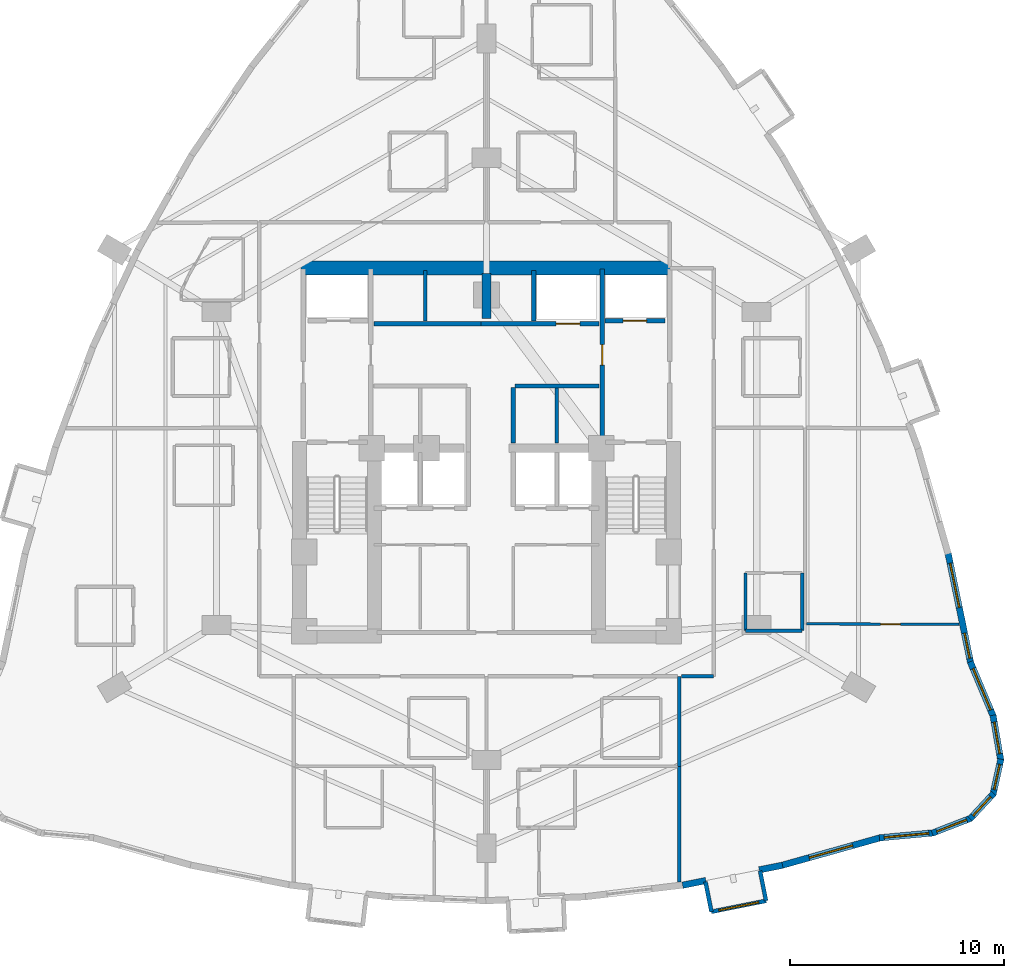
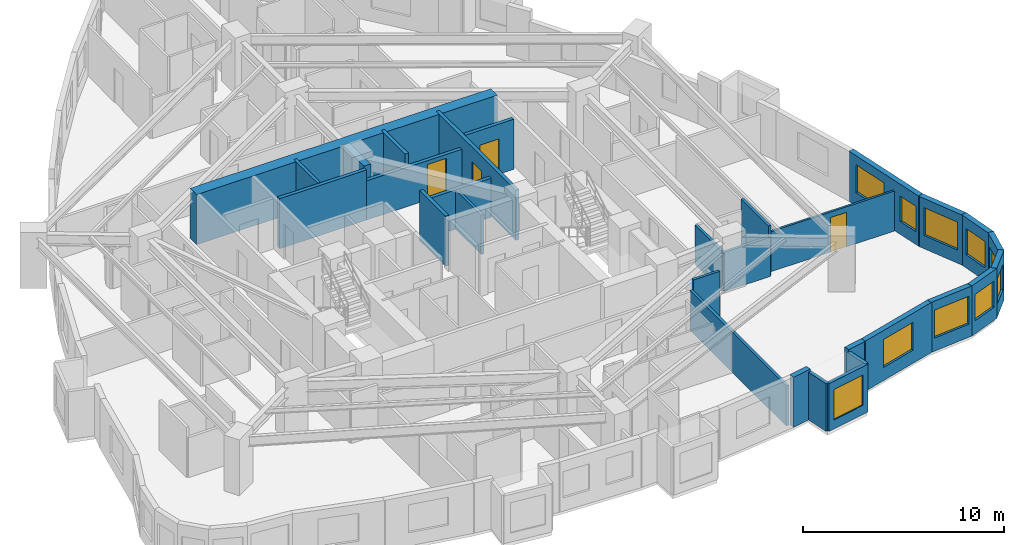
# One storey, part 9 of 13: 31 walls, 10 windows, 4 doors, 14 openings.
"""IFC4 building model written with IfcOpenShell, lengths in metres."""

from ifc_helpers import new_model, si_unit, direction, frame, frame_2d, origin, place, context, subcontext, project, spatial, rectangle, extrude, material, layer, layer_set, type_object, element, fill, save


model = new_model("IFC4")

# Units and contexts
model_context = context("Model", 3, precision=1e-05, world=origin(), true_north=direction((0.0, 1.0)))
body_context = subcontext(model_context, "Body", "Model", "MODEL_VIEW")
ifc_project = project(units=[si_unit("LENGTHUNIT", "METRE"), si_unit("AREAUNIT", "SQUARE_METRE"), si_unit("VOLUMEUNIT", "CUBIC_METRE"), si_unit("PLANEANGLEUNIT", "RADIAN"), si_unit("MASSUNIT", "GRAM", prefix="KILO")], contexts=[model_context])

# Site, building, storey
site_placement = place(None, origin())
site = spatial("IfcSite", under=ifc_project, at=site_placement, CompositionType="ELEMENT")
building_placement = place(site_placement, origin())
building = spatial("IfcBuilding", under=site, at=building_placement, Name="Miruveldt Soraemaru", CompositionType="ELEMENT")
storey_placement = place(building_placement, frame((0.0, 0.0, 87.0)))
storey = spatial("IfcBuildingStorey", under=building, at=storey_placement, Name="L24", CompositionType="ELEMENT", Elevation=87.0)

# Walls
ifc_material_1 = material(Name="White powder-coated aluminium EN AW-6060 T6", Category="aluminium")
ifc_layer_1 = layer(ifc_material_1, 0.18994140625, Name="White powder-coated aluminium EN AW-6060 T6", Category="aluminium")
ifc_layer_set_1 = layer_set([ifc_layer_1], Name="White powder-coated aluminium EN AW-6060 T6")
wall_type_1 = type_object("IfcWallType", Name="WALL-BAY-ALU190", PredefinedType="SOLIDWALL", material=ifc_layer_set_1)
for number, where, z_axis, x_axis, name in (
    (1, (54.21484375, 23.81396484375, 0.0), (0.0, 0.0, 1.0), (0.196149079112, -0.980574086321, 0.0), "L24 Bay Window Side Cheek 4L"),
    (2, (57.0439453125, 22.926513671875, 0.0), (0.0, 0.0, 1.0), (-0.196149079112, 0.980574086321, 0.0), "L24 Bay Window Side Cheek 4R"),
):
    element("IfcWall", number, at=place(storey_placement, frame(where, z_axis=z_axis, x_axis=x_axis)), inside=storey, type_object=wall_type_1, Name=name, PredefinedType="SOLIDWALL", context=body_context, shape_type="SweptSolid", body=[
        extrude(rectangle(XDim=1.425048828125, YDim=0.18994140625, at=frame_2d((0.71240234375, 0.0))), origin(), (0.0, 0.0, 1.0), 2.89990234375),
    ])

# Wall, opening, window
wall_1_placement = place(storey_placement, frame((54.494384765625, 22.41650390625, 0.0), z_axis=(0.0, 0.0, 1.0), x_axis=(0.980573452128, 0.196152249497, 0.0)))
wall_1 = element("IfcWall", 3, at=wall_1_placement, inside=storey, type_object=wall_type_1, Name="L24 Bay Window Front Frame 4", PredefinedType="SOLIDWALL", context=body_context, shape_type="SweptSolid", body=[
    extrude(rectangle(XDim=2.60009765625, YDim=0.18994140625, at=frame_2d((1.300048828125, 0.0))), origin(), (0.0, 0.0, 1.0), 2.89990234375),
])
opening_1_placement = place(wall_1_placement, frame((0.35009765625, 0.0, 0.550048828125)))
opening_1 = element("IfcOpeningElement", 4, at=opening_1_placement, cuts=wall_1, Name="Opening WN-6", PredefinedType="OPENING", context=body_context, shape_type="SweptSolid", body=[
    extrude(rectangle(XDim=1.89990234375, YDim=1.85009765625, at=frame_2d((0.949951171875, 0.925048828125))), frame((0.0, 0.10498046875, 0.0), z_axis=(0.0, -1.0, 0.0), x_axis=(1.0, 0.0, 0.0)), (0.0, 0.0, 1.0), 0.2099609375),
])
ifc_material_2 = material(Name="Triple low-e insulated glazing", Category="glass")
window_type_1 = type_object("IfcWindowType", Name="WIN-BAYW-1900x1850", PartitioningType="SINGLE_PANEL", PredefinedType="WINDOW", material=ifc_material_2)
window_1_placement = place(opening_1_placement, origin())
window_1 = element("IfcWindow", 5, at=window_1_placement, inside=storey, type_object=window_type_1, Name="L24 Projecting Bay Window 4", OverallHeight=1.85009765625, OverallWidth=1.89990234375, PartitioningType="SINGLE_PANEL", PredefinedType="WINDOW", context=body_context, shape_type="SweptSolid", body=[
    extrude(rectangle(XDim=1.89990234375, YDim=1.85009765625, at=frame_2d((0.949951171875, 0.925048828125))), frame((0.0, 0.030029296875, 0.0), z_axis=(0.0, -1.0, 0.0), x_axis=(1.0, 0.0, 0.0)), (0.0, 0.0, 1.0), 0.06005859375),
])
fill(opening_1, window_1)

# Walls
ifc_material_3 = material(Name="Concrete C70/85 (70 MPa)", Category="concrete")
ifc_layer_2 = layer(ifc_material_3, 0.5, Name="Concrete C70/85 (70 MPa)", Category="concrete")
ifc_layer_set_2 = layer_set([ifc_layer_2], Name="Concrete C70/85 (70 MPa)")
wall_type_2 = type_object("IfcWallType", Name="WALL-BW-500", PredefinedType="SHEAR", material=ifc_layer_set_2)
wall_2_placement = place(storey_placement, frame((44.0, 50.10009765625, 0.0), z_axis=(0.0, 0.0, 1.0), x_axis=(0.0, 1.0, 0.0)))
element("IfcWall", 6, at=wall_2_placement, inside=storey, type_object=wall_type_2, Name="L24 Core Buttress Shear Wall BN", PredefinedType="SHEAR", context=body_context, shape_type="SweptSolid", body=[
    extrude(rectangle(XDim=2.099853515625, YDim=0.39990234375, at=frame_2d((1.0498046875, 0.0))), origin(), (0.0, 0.0, 1.0), 3.050048828125),
])
ifc_material_4 = material(Name="Concrete C80/95 (80 MPa)", Category="concrete")
ifc_layer_3 = layer(ifc_material_4, 0.64990234375, Name="Concrete C80/95 (80 MPa)", Category="concrete")
ifc_layer_set_3 = layer_set([ifc_layer_3], Name="Concrete C80/95 (80 MPa)")
wall_type_3 = type_object("IfcWallType", Name="WALL-CW-650", PredefinedType="SHEAR", material=ifc_layer_set_3)
wall_3_placement = place(storey_placement, frame((35.35009765625, 52.449951171875, 0.0), z_axis=(0.0, 0.0, 1.0), x_axis=(1.0, 0.0, 0.0)))
element("IfcWall", 7, at=wall_3_placement, inside=storey, type_object=wall_type_3, Name="L24 Central Core Shear Wall N", PredefinedType="SHEAR", context=body_context, shape_type="SweptSolid", body=[
    extrude(rectangle(XDim=17.2998046875, YDim=0.64990234375, at=frame_2d((8.64990234375, 0.0))), origin(), (0.0, 0.0, 1.0), 3.050048828125),
])
ifc_material_5 = material(Name="Precast concrete C45/55 (45 MPa)", Category="concrete")
ifc_layer_4 = layer(ifc_material_5, 0.300048828125, Name="Precast concrete C45/55 (45 MPa)", Category="concrete")
ifc_layer_set_4 = layer_set([ifc_layer_4], Name="Precast concrete C45/55 (45 MPa)")
wall_type_4 = type_object("IfcWallType", Name="WALL-EXT-PC300", PredefinedType="SOLIDWALL", material=ifc_layer_set_4)
for number, where, z_axis, x_axis, name in (
    (8, (53.148681640625, 23.65673828125, 0.0), (0.0, 0.0, 1.0), (0.980563695205, 0.196201018464, 0.0), "L24 Precast Pier Wall 27A"),
    (9, (56.72412109375, 24.371826171875, 0.0), (0.0, 0.0, 1.0), (0.980563695205, 0.196201018464, 0.0), "L24 Precast Pier Wall 27B"),
):
    element("IfcWall", number, at=place(storey_placement, frame(where, z_axis=z_axis, x_axis=x_axis)), inside=storey, type_object=wall_type_4, Name=name, PredefinedType="SOLIDWALL", context=body_context, shape_type="SweptSolid", body=[
        extrude(rectangle(XDim=1.106201171875, YDim=0.300048828125, at=frame_2d((0.55322265625, 0.0))), origin(), (0.0, 0.0, 1.0), 3.050048828125),
    ])

# Wall, opening, window
wall_4_placement = place(storey_placement, frame((57.740966796875, 24.572509765625, 0.0), z_axis=(0.0, 0.0, 1.0), x_axis=(0.962967164168, 0.269618695077, 0.0)))
wall_4 = element("IfcWall", 10, at=wall_4_placement, inside=storey, type_object=wall_type_4, Name="L24 Precast Concrete Facade Wall 28", PredefinedType="SOLIDWALL", context=body_context, shape_type="SweptSolid", body=[
    extrude(rectangle(XDim=4.838134765625, YDim=0.300048828125, at=frame_2d((2.4189453125, 0.0))), origin(), (0.0, 0.0, 1.0), 3.050048828125),
])
opening_2_placement = place(wall_4_placement, frame((1.368896484375, 0.0, 0.800048828125)))
opening_2 = element("IfcOpeningElement", 11, at=opening_2_placement, cuts=wall_4, Name="Opening WN-1", PredefinedType="OPENING", context=body_context, shape_type="SweptSolid", body=[
    extrude(rectangle(XDim=2.10009765625, YDim=1.699951171875, at=frame_2d((1.050048828125, 0.85009765625))), frame((0.0, 0.16015625, 0.0), z_axis=(0.0, -1.0, 0.0), x_axis=(1.0, 0.0, 0.0)), (0.0, 0.0, 1.0), 0.320068359375),
])
window_type_2 = type_object("IfcWindowType", Name="WIN-PUNCH-2100x1700", PartitioningType="SINGLE_PANEL", PredefinedType="WINDOW", material=ifc_material_2)
window_2_placement = place(opening_2_placement, origin())
window_2 = element("IfcWindow", 12, at=window_2_placement, inside=storey, type_object=window_type_2, Name="L24 Punched Triple-Glazed Window 28.1", OverallHeight=1.699951171875, OverallWidth=2.10009765625, PartitioningType="SINGLE_PANEL", PredefinedType="WINDOW", context=body_context, shape_type="SweptSolid", body=[
    extrude(rectangle(XDim=2.10009765625, YDim=1.699951171875, at=frame_2d((1.050048828125, 0.85009765625))), frame((0.0, 0.030029296875, 0.0), z_axis=(0.0, -1.0, 0.0), x_axis=(1.0, 0.0, 0.0)), (0.0, 0.0, 1.0), 0.06005859375),
])
fill(opening_2, window_2)

wall_5_placement = place(storey_placement, frame((62.331298828125, 25.864501953125, 0.0), z_axis=(0.0, 0.0, 1.0), x_axis=(0.995765461545, 0.091930112551, 0.0)))
wall_5 = element("IfcWall", 13, at=wall_5_placement, inside=storey, type_object=wall_type_4, Name="L24 Precast Concrete Facade Wall 29", PredefinedType="SOLIDWALL", context=body_context, shape_type="SweptSolid", body=[
    extrude(rectangle(XDim=2.54150390625, YDim=0.300048828125, at=frame_2d((1.270751953125, 0.0))), origin(), (0.0, 0.0, 1.0), 3.050048828125),
])
opening_3_placement = place(wall_5_placement, frame((0.220947265625, 0.0, 0.800048828125)))
opening_3 = element("IfcOpeningElement", 14, at=opening_3_placement, cuts=wall_5, Name="Opening WN-1", PredefinedType="OPENING", context=body_context, shape_type="SweptSolid", body=[
    extrude(rectangle(XDim=2.10009765625, YDim=1.699951171875, at=frame_2d((1.050048828125, 0.85009765625))), frame((0.0, 0.16015625, 0.0), z_axis=(0.0, -1.0, 0.0), x_axis=(1.0, 0.0, 0.0)), (0.0, 0.0, 1.0), 0.320068359375),
])
window_3_placement = place(opening_3_placement, origin())
window_3 = element("IfcWindow", 15, at=window_3_placement, inside=storey, type_object=window_type_2, Name="L24 Punched Triple-Glazed Window 29.1", OverallHeight=1.699951171875, OverallWidth=2.10009765625, PartitioningType="SINGLE_PANEL", PredefinedType="WINDOW", context=body_context, shape_type="SweptSolid", body=[
    extrude(rectangle(XDim=2.10009765625, YDim=1.699951171875, at=frame_2d((1.050048828125, 0.85009765625))), frame((0.0, 0.030029296875, 0.0), z_axis=(0.0, -1.0, 0.0), x_axis=(1.0, 0.0, 0.0)), (0.0, 0.0, 1.0), 0.06005859375),
])
fill(opening_3, window_3)

wall_6_placement = place(storey_placement, frame((64.794677734375, 26.082275390625, 0.0), z_axis=(0.0, 0.0, 1.0), x_axis=(0.932250473757, 0.361813562736, 0.0)))
wall_6 = element("IfcWall", 16, at=wall_6_placement, inside=storey, type_object=wall_type_4, Name="L24 Precast Concrete Facade Wall 30", PredefinedType="SOLIDWALL", context=body_context, shape_type="SweptSolid", body=[
    extrude(rectangle(XDim=1.95556640625, YDim=0.300048828125, at=frame_2d((0.977783203125, 0.0))), origin(), (0.0, 0.0, 1.0), 3.050048828125),
])
opening_4_placement = place(wall_6_placement, frame((0.22802734375, 0.0, 0.800048828125)))
opening_4 = element("IfcOpeningElement", 17, at=opening_4_placement, cuts=wall_6, Name="Opening WN-3", PredefinedType="OPENING", context=body_context, shape_type="SweptSolid", body=[
    extrude(rectangle(XDim=1.5, YDim=1.60009765625, at=frame_2d((0.75, 0.800048828125))), frame((0.0, 0.16015625, 0.0), z_axis=(0.0, -1.0, 0.0), x_axis=(1.0, 0.0, 0.0)), (0.0, 0.0, 1.0), 0.320068359375),
])
window_type_3 = type_object("IfcWindowType", Name="WIN-PUNCH-1500x1600", PartitioningType="SINGLE_PANEL", PredefinedType="WINDOW", material=ifc_material_2)
window_4_placement = place(opening_4_placement, origin())
window_4 = element("IfcWindow", 18, at=window_4_placement, inside=storey, type_object=window_type_3, Name="L24 Punched Triple-Glazed Window 30.1", OverallHeight=1.60009765625, OverallWidth=1.5, PartitioningType="SINGLE_PANEL", PredefinedType="WINDOW", context=body_context, shape_type="SweptSolid", body=[
    extrude(rectangle(XDim=1.5, YDim=1.60009765625, at=frame_2d((0.75, 0.800048828125))), frame((0.0, 0.030029296875, 0.0), z_axis=(0.0, -1.0, 0.0), x_axis=(1.0, 0.0, 0.0)), (0.0, 0.0, 1.0), 0.06005859375),
])
fill(opening_4, window_4)

wall_7_placement = place(storey_placement, frame((66.561279296875, 26.751220703125, 0.0), z_axis=(0.0, 0.0, 1.0), x_axis=(0.680179532138, 0.733045567519, 0.0)))
wall_7 = element("IfcWall", 19, at=wall_7_placement, inside=storey, type_object=wall_type_4, Name="L24 Precast Concrete Facade Wall 31", PredefinedType="SOLIDWALL", context=body_context, shape_type="SweptSolid", body=[
    extrude(rectangle(XDim=1.620849609375, YDim=0.300048828125, at=frame_2d((0.810546875, 0.0))), origin(), (0.0, 0.0, 1.0), 3.050048828125),
])
opening_5_placement = place(wall_7_placement, frame((0.2109375, 0.0, 0.780029296875)))
opening_5 = element("IfcOpeningElement", 20, at=opening_5_placement, cuts=wall_7, Name="Opening WN-4", PredefinedType="OPENING", context=body_context, shape_type="SweptSolid", body=[
    extrude(rectangle(XDim=1.199951171875, YDim=1.550048828125, at=frame_2d((0.60009765625, 0.77490234375))), frame((0.0, 0.16015625, 0.0), z_axis=(0.0, -1.0, 0.0), x_axis=(1.0, 0.0, 0.0)), (0.0, 0.0, 1.0), 0.320068359375),
])
window_type_4 = type_object("IfcWindowType", Name="WIN-PUNCH-1200x1550", PartitioningType="SINGLE_PANEL", PredefinedType="WINDOW", material=ifc_material_2)
window_5_placement = place(opening_5_placement, origin())
window_5 = element("IfcWindow", 21, at=window_5_placement, inside=storey, type_object=window_type_4, Name="L24 Punched Triple-Glazed Window 31.1", OverallHeight=1.550048828125, OverallWidth=1.199951171875, PartitioningType="SINGLE_PANEL", PredefinedType="WINDOW", context=body_context, shape_type="SweptSolid", body=[
    extrude(rectangle(XDim=1.199951171875, YDim=1.550048828125, at=frame_2d((0.60009765625, 0.77490234375))), frame((0.0, 0.030029296875, 0.0), z_axis=(0.0, -1.0, 0.0), x_axis=(1.0, 0.0, 0.0)), (0.0, 0.0, 1.0), 0.06005859375),
])
fill(opening_5, window_5)

wall_8_placement = place(storey_placement, frame((67.63232421875, 27.87939453125, 0.0), z_axis=(0.0, 0.0, 1.0), x_axis=(0.215576821928, 0.976486883602, 0.0)))
wall_8 = element("IfcWall", 22, at=wall_8_placement, inside=storey, type_object=wall_type_4, Name="L24 Precast Concrete Facade Wall 32", PredefinedType="SOLIDWALL", context=body_context, shape_type="SweptSolid", body=[
    extrude(rectangle(XDim=1.699951171875, YDim=0.300048828125, at=frame_2d((0.85009765625, 0.0))), origin(), (0.0, 0.0, 1.0), 3.050048828125),
])
opening_6_placement = place(wall_8_placement, frame((0.25, 0.0, 0.780029296875)))
opening_6 = element("IfcOpeningElement", 23, at=opening_6_placement, cuts=wall_8, Name="Opening WN-4", PredefinedType="OPENING", context=body_context, shape_type="SweptSolid", body=[
    extrude(rectangle(XDim=1.199951171875, YDim=1.550048828125, at=frame_2d((0.60009765625, 0.77490234375))), frame((0.0, 0.16015625, 0.0), z_axis=(0.0, -1.0, 0.0), x_axis=(1.0, 0.0, 0.0)), (0.0, 0.0, 1.0), 0.320068359375),
])
window_6_placement = place(opening_6_placement, origin())
window_6 = element("IfcWindow", 24, at=window_6_placement, inside=storey, type_object=window_type_4, Name="L24 Punched Triple-Glazed Window 32.1", OverallHeight=1.550048828125, OverallWidth=1.199951171875, PartitioningType="SINGLE_PANEL", PredefinedType="WINDOW", context=body_context, shape_type="SweptSolid", body=[
    extrude(rectangle(XDim=1.199951171875, YDim=1.550048828125, at=frame_2d((0.60009765625, 0.77490234375))), frame((0.0, 0.030029296875, 0.0), z_axis=(0.0, -1.0, 0.0), x_axis=(1.0, 0.0, 0.0)), (0.0, 0.0, 1.0), 0.06005859375),
])
fill(opening_6, window_6)

wall_9_placement = place(storey_placement, frame((67.997314453125, 29.470703125, 0.0), z_axis=(0.0, 0.0, 1.0), x_axis=(-0.169285891433, 0.985566987557, 0.0)))
wall_9 = element("IfcWall", 25, at=wall_9_placement, inside=storey, type_object=wall_type_4, Name="L24 Precast Concrete Facade Wall 33", PredefinedType="SOLIDWALL", context=body_context, shape_type="SweptSolid", body=[
    extrude(rectangle(XDim=2.14599609375, YDim=0.300048828125, at=frame_2d((1.072998046875, 0.0))), origin(), (0.0, 0.0, 1.0), 3.050048828125),
])
opening_7_placement = place(wall_9_placement, frame((0.322998046875, 0.0, 0.800048828125)))
opening_7 = element("IfcOpeningElement", 26, at=opening_7_placement, cuts=wall_9, Name="Opening WN-3", PredefinedType="OPENING", context=body_context, shape_type="SweptSolid", body=[
    extrude(rectangle(XDim=1.5, YDim=1.60009765625, at=frame_2d((0.75, 0.800048828125))), frame((0.0, 0.16015625, 0.0), z_axis=(0.0, -1.0, 0.0), x_axis=(1.0, 0.0, 0.0)), (0.0, 0.0, 1.0), 0.320068359375),
])
window_7_placement = place(opening_7_placement, origin())
window_7 = element("IfcWindow", 27, at=window_7_placement, inside=storey, type_object=window_type_3, Name="L24 Punched Triple-Glazed Window 33.1", OverallHeight=1.60009765625, OverallWidth=1.5, PartitioningType="SINGLE_PANEL", PredefinedType="WINDOW", context=body_context, shape_type="SweptSolid", body=[
    extrude(rectangle(XDim=1.5, YDim=1.60009765625, at=frame_2d((0.75, 0.800048828125))), frame((0.0, 0.030029296875, 0.0), z_axis=(0.0, -1.0, 0.0), x_axis=(1.0, 0.0, 0.0)), (0.0, 0.0, 1.0), 0.06005859375),
])
fill(opening_7, window_7)

wall_10_placement = place(storey_placement, frame((67.653564453125, 31.51904296875, 0.0), z_axis=(0.0, 0.0, 1.0), x_axis=(-0.388652814746, 0.921384279001, 0.0)))
wall_10 = element("IfcWall", 28, at=wall_10_placement, inside=storey, type_object=wall_type_4, Name="L24 Precast Concrete Facade Wall 34", PredefinedType="SOLIDWALL", context=body_context, shape_type="SweptSolid", body=[
    extrude(rectangle(XDim=2.783935546875, YDim=0.300048828125, at=frame_2d((1.39208984375, 0.0))), origin(), (0.0, 0.0, 1.0), 3.050048828125),
])
opening_8_placement = place(wall_10_placement, frame((0.342041015625, 0.0, 0.800048828125)))
opening_8 = element("IfcOpeningElement", 29, at=opening_8_placement, cuts=wall_10, Name="Opening WN-1", PredefinedType="OPENING", context=body_context, shape_type="SweptSolid", body=[
    extrude(rectangle(XDim=2.10009765625, YDim=1.699951171875, at=frame_2d((1.050048828125, 0.85009765625))), frame((0.0, 0.16015625, 0.0), z_axis=(0.0, -1.0, 0.0), x_axis=(1.0, 0.0, 0.0)), (0.0, 0.0, 1.0), 0.320068359375),
])
window_8_placement = place(opening_8_placement, origin())
window_8 = element("IfcWindow", 30, at=window_8_placement, inside=storey, type_object=window_type_2, Name="L24 Punched Triple-Glazed Window 34.1", OverallHeight=1.699951171875, OverallWidth=2.10009765625, PartitioningType="SINGLE_PANEL", PredefinedType="WINDOW", context=body_context, shape_type="SweptSolid", body=[
    extrude(rectangle(XDim=2.10009765625, YDim=1.699951171875, at=frame_2d((1.050048828125, 0.85009765625))), frame((0.0, 0.030029296875, 0.0), z_axis=(0.0, -1.0, 0.0), x_axis=(1.0, 0.0, 0.0)), (0.0, 0.0, 1.0), 0.06005859375),
])
fill(opening_8, window_8)

# Wall, openings, windows
wall_11_placement = place(storey_placement, frame((66.59228515625, 34.017578125, 0.0), z_axis=(0.0, 0.0, 1.0), x_axis=(-0.201579766052, 0.979472101654, 0.0)))
wall_11 = element("IfcWall", 31, at=wall_11_placement, inside=storey, type_object=wall_type_4, Name="L24 Precast Concrete Facade Wall 35", PredefinedType="SOLIDWALL", context=body_context, shape_type="SweptSolid", body=[
    extrude(rectangle(XDim=5.273193359375, YDim=0.300048828125, at=frame_2d((2.63671875, 0.0))), origin(), (0.0, 0.0, 1.0), 3.050048828125),
])
opening_9_placement = place(wall_11_placement, frame((0.22412109375, 0.0, 0.780029296875)))
opening_9 = element("IfcOpeningElement", 32, at=opening_9_placement, cuts=wall_11, Name="Opening WN-4", PredefinedType="OPENING", context=body_context, shape_type="SweptSolid", body=[
    extrude(rectangle(XDim=1.199951171875, YDim=1.550048828125, at=frame_2d((0.60009765625, 0.77490234375))), frame((0.0, 0.16015625, 0.0), z_axis=(0.0, -1.0, 0.0), x_axis=(1.0, 0.0, 0.0)), (0.0, 0.0, 1.0), 0.320068359375),
])
opening_10_placement = place(wall_11_placement, frame((2.64990234375, 0.0, 0.800048828125)))
opening_10 = element("IfcOpeningElement", 33, at=opening_10_placement, cuts=wall_11, Name="Opening WN-1", PredefinedType="OPENING", context=body_context, shape_type="SweptSolid", body=[
    extrude(rectangle(XDim=2.10009765625, YDim=1.699951171875, at=frame_2d((1.050048828125, 0.85009765625))), frame((0.0, 0.16015625, 0.0), z_axis=(0.0, -1.0, 0.0), x_axis=(1.0, 0.0, 0.0)), (0.0, 0.0, 1.0), 0.320068359375),
])
window_9_placement = place(opening_9_placement, origin())
window_9 = element("IfcWindow", 34, at=window_9_placement, inside=storey, type_object=window_type_4, Name="L24 Punched Triple-Glazed Window 35.1", OverallHeight=1.550048828125, OverallWidth=1.199951171875, PartitioningType="SINGLE_PANEL", PredefinedType="WINDOW", context=body_context, shape_type="SweptSolid", body=[
    extrude(rectangle(XDim=1.199951171875, YDim=1.550048828125, at=frame_2d((0.60009765625, 0.77490234375))), frame((0.0, 0.030029296875, 0.0), z_axis=(0.0, -1.0, 0.0), x_axis=(1.0, 0.0, 0.0)), (0.0, 0.0, 1.0), 0.06005859375),
])
fill(opening_9, window_9)
window_10_placement = place(opening_10_placement, origin())
window_10 = element("IfcWindow", 35, at=window_10_placement, inside=storey, type_object=window_type_2, Name="L24 Punched Triple-Glazed Window 35.2", OverallHeight=1.699951171875, OverallWidth=2.10009765625, PartitioningType="SINGLE_PANEL", PredefinedType="WINDOW", context=body_context, shape_type="SweptSolid", body=[
    extrude(rectangle(XDim=2.10009765625, YDim=1.699951171875, at=frame_2d((1.050048828125, 0.85009765625))), frame((0.0, 0.030029296875, 0.0), z_axis=(0.0, -1.0, 0.0), x_axis=(1.0, 0.0, 0.0)), (0.0, 0.0, 1.0), 0.06005859375),
])
fill(opening_10, window_10)

# Wall, opening, door
ifc_material_6 = material(Name="Gypsum plasterboard lining", Category="gypsum")
ifc_layer_5 = layer(ifc_material_6, 0.1201171875, Name="Gypsum plasterboard lining", Category="gypsum")
ifc_layer_set_5 = layer_set([ifc_layer_5], Name="Gypsum plasterboard lining")
wall_type_5 = type_object("IfcWallType", Name="WALL-INT-P120", PredefinedType="PARTITIONING", material=ifc_layer_set_5)
wall_12_placement = place(storey_placement, frame((66.050048828125, 35.8330078125, 0.0), z_axis=(0.0, 0.0, 1.0), x_axis=(-0.999997126781, 0.002397171291, 0.0)))
wall_12 = element("IfcWall", 36, at=wall_12_placement, inside=storey, type_object=wall_type_5, Name="L24 Partition Wall 70", PredefinedType="PARTITIONING", context=body_context, shape_type="SweptSolid", body=[
    extrude(rectangle(XDim=7.129150390625, YDim=0.1201171875, at=frame_2d((3.564453125, 0.0))), origin(), (0.0, 0.0, 1.0), 2.43798828125),
])
opening_11_placement = place(wall_12_placement, frame((2.7451171875, 0.0, 0.0)))
opening_11 = element("IfcOpeningElement", 37, at=opening_11_placement, cuts=wall_12, Name="Opening D3A", PredefinedType="OPENING", context=body_context, shape_type="SweptSolid", body=[
    extrude(rectangle(XDim=0.919921875, YDim=2.10009765625, at=frame_2d((0.4599609375, 1.050048828125))), frame((0.0, 0.070068359375, 0.0), z_axis=(0.0, -1.0, 0.0), x_axis=(1.0, 0.0, 0.0)), (0.0, 0.0, 1.0), 0.14013671875),
])
ifc_material_7 = material(Name="Anodised aluminium EN AW-6063 T6", Category="aluminium")
door_type_1 = type_object("IfcDoorType", Name="DOOR-INT-920", OperationType="NOTDEFINED", PredefinedType="DOOR", material=ifc_material_7)
door_1_placement = place(opening_11_placement, origin())
door_1 = element("IfcDoor", 38, at=door_1_placement, inside=storey, type_object=door_type_1, Name="L24 Unit 2408 BD1 Door", OperationType="SINGLE_SWING_RIGHT", OverallHeight=2.10009765625, OverallWidth=0.919921875, PredefinedType="DOOR", context=body_context, shape_type="SweptSolid", body=[
    extrude(rectangle(XDim=0.919921875, YDim=2.10009765625, at=frame_2d((0.4599609375, 1.050048828125))), frame((0.0, 0.02490234375, 0.0), z_axis=(0.0, -1.0, 0.0), x_axis=(1.0, 0.0, 0.0)), (0.0, 0.0, 1.0), 0.050048828125),
])
fill(opening_11, door_1)

# Walls
ifc_layer_6 = layer(ifc_material_6, 0.14990234375, Name="Gypsum plasterboard lining", Category="gypsum")
ifc_layer_set_6 = layer_set([ifc_layer_6], Name="Gypsum plasterboard lining")
wall_type_6 = type_object("IfcWallType", Name="WALL-INT-PLUMB", PredefinedType="PLUMBINGWALL", material=ifc_layer_set_6)
wall_13_placement = place(storey_placement, frame((58.72998046875, 35.530029296875, 0.0), z_axis=(0.0, 0.0, 1.0), x_axis=(0.0, 1.0, 0.0)))
element("IfcWall", 39, at=wall_13_placement, inside=storey, type_object=wall_type_6, Name="L24 Partition Wall 66", PredefinedType="PLUMBINGWALL", context=body_context, shape_type="SweptSolid", body=[
    extrude(rectangle(XDim=2.699951171875, YDim=0.14990234375, at=frame_2d((1.35009765625, 0.0))), origin(), (0.0, 0.0, 1.0), 3.050048828125),
])
wall_14_placement = place(storey_placement, frame((56.080078125, 38.22998046875, 0.0), z_axis=(0.0, 0.0, 1.0), x_axis=(0.0, -1.0, 0.0)))
element("IfcWall", 40, at=wall_14_placement, inside=storey, type_object=wall_type_6, Name="L24 Partition Wall 68", PredefinedType="PLUMBINGWALL", context=body_context, shape_type="SweptSolid", body=[
    extrude(rectangle(XDim=2.699951171875, YDim=0.14990234375, at=frame_2d((1.35009765625, 0.0))), origin(), (0.0, 0.0, 1.0), 2.387939453125),
])
wall_15_placement = place(storey_placement, frame((56.080078125, 35.530029296875, 0.0), z_axis=(0.0, 0.0, 1.0), x_axis=(1.0, 0.0, 0.0)))
element("IfcWall", 41, at=wall_15_placement, inside=storey, type_object=wall_type_6, Name="L24 Partition Wall 69", PredefinedType="PLUMBINGWALL", context=body_context, shape_type="SweptSolid", body=[
    extrude(rectangle(XDim=2.64990234375, YDim=0.14990234375, at=frame_2d((1.324951171875, 0.0))), origin(), (0.0, 0.0, 1.0), 2.387939453125),
])
ifc_material_8 = material(Name="Concrete C40/50 (40 MPa)", Category="concrete")
ifc_layer_7 = layer(ifc_material_8, 0.159912109375, Name="Concrete C40/50 (40 MPa)", Category="concrete")
ifc_layer_set_7 = layer_set([ifc_layer_7], Name="Concrete C40/50 (40 MPa)")
wall_type_7 = type_object("IfcWallType", Name="WALL-INT-RC160", PredefinedType="SOLIDWALL", material=ifc_layer_set_7)
wall_16_placement = place(storey_placement, frame((53.0, 29.199951171875, 0.0), z_axis=(0.0, 0.0, 1.0), x_axis=(-0.001856040262, -0.999998277556, 0.0)))
element("IfcWall", 42, at=wall_16_placement, inside=storey, type_object=wall_type_7, Name="L24 Partition Wall 72", PredefinedType="SOLIDWALL", context=body_context, shape_type="SweptSolid", body=[
    extrude(rectangle(XDim=5.39306640625, YDim=0.159912109375, at=frame_2d((2.696533203125, 0.0))), origin(), (0.0, 0.0, 1.0), 2.43798828125),
])
wall_17_placement = place(storey_placement, frame((53.0, 33.39990234375, 0.0), z_axis=(0.0, 0.0, 1.0), x_axis=(0.0, -1.0, 0.0)))
element("IfcWall", 43, at=wall_17_placement, inside=storey, type_object=wall_type_7, Name="L24 Partition Wall 71", PredefinedType="SOLIDWALL", context=body_context, shape_type="SweptSolid", body=[
    extrude(rectangle(XDim=4.199951171875, YDim=0.159912109375, at=frame_2d((2.10009765625, 0.0))), origin(), (0.0, 0.0, 1.0), 2.43798828125),
])
wall_18_placement = place(storey_placement, frame((47.280029296875, 44.300048828125, 0.0), z_axis=(0.0, 0.0, 1.0), x_axis=(0.0, 1.0, 0.0)))
element("IfcWall", 44, at=wall_18_placement, inside=storey, type_object=wall_type_7, Name="L24 Core Compartment Wall PLM-DE", PredefinedType="SOLIDWALL", context=body_context, shape_type="SweptSolid", body=[
    extrude(rectangle(XDim=2.550048828125, YDim=0.159912109375, at=frame_2d((1.27490234375, 0.0))), origin(), (0.0, 0.0, 1.0), 2.387939453125),
])
wall_19_placement = place(storey_placement, frame((41.14990234375, 49.97998046875, 0.0), z_axis=(0.0, 0.0, 1.0), x_axis=(0.0, 1.0, 0.0)))
element("IfcWall", 45, at=wall_19_placement, inside=storey, type_object=wall_type_7, Name="L24 Core Compartment Wall PLH-DIV1", PredefinedType="SOLIDWALL", context=body_context, shape_type="SweptSolid", body=[
    extrude(rectangle(XDim=2.3701171875, YDim=0.159912109375, at=frame_2d((1.18505859375, 0.0))), origin(), (0.0, 0.0, 1.0), 3.050048828125),
])
wall_20_placement = place(storey_placement, frame((53.0859375, 33.39990234375, 0.0), z_axis=(0.0, 0.0, 1.0), x_axis=(1.0, 0.0, 0.0)))
element("IfcWall", 46, at=wall_20_placement, inside=storey, type_object=wall_type_7, Name="L24 Partition Wall 10", PredefinedType="SOLIDWALL", context=body_context, shape_type="SweptSolid", body=[
    extrude(rectangle(XDim=1.51416015625, YDim=0.159912109375, at=frame_2d((0.757080078125, 0.0))), origin(), (0.0, 0.0, 1.0), 3.050048828125),
])

# Wall, opening, door
ifc_layer_8 = layer(ifc_material_8, 0.199951171875, Name="Concrete C40/50 (40 MPa)", Category="concrete")
ifc_layer_set_8 = layer_set([ifc_layer_8], Name="Concrete C40/50 (40 MPa)")
wall_type_8 = type_object("IfcWallType", Name="WALL-INT-RC200", PredefinedType="SOLIDWALL", material=ifc_layer_set_8)
wall_21_placement = place(storey_placement, frame((49.39990234375, 44.5, 0.0), z_axis=(0.0, 0.0, 1.0), x_axis=(0.0, 1.0, 0.0)))
wall_21 = element("IfcWall", 47, at=wall_21_placement, inside=storey, type_object=wall_type_8, Name="L24 Core Compartment Wall FFE-IN", PredefinedType="SOLIDWALL", context=body_context, shape_type="SweptSolid", body=[
    extrude(rectangle(XDim=7.919921875, YDim=0.199951171875, at=frame_2d((3.9599609375, 0.0))), origin(), (0.0, 0.0, 1.0), 3.050048828125),
])
opening_12_placement = place(wall_21_placement, frame((3.425048828125, 0.0, 0.0)))
opening_12 = element("IfcOpeningElement", 48, at=opening_12_placement, cuts=wall_21, Name="Opening FD2", PredefinedType="OPENING", context=body_context, shape_type="SweptSolid", body=[
    extrude(rectangle(XDim=0.949951171875, YDim=2.14990234375, at=frame_2d((0.47509765625, 1.074951171875))), frame((0.0, 0.10986328125, 0.0), z_axis=(0.0, -1.0, 0.0), x_axis=(1.0, 0.0, 0.0)), (0.0, 0.0, 1.0), 0.219970703125),
])
door_type_2 = type_object("IfcDoorType", Name="DOOR-FD2-950", OperationType="NOTDEFINED", PredefinedType="DOOR", material=ifc_material_7)
door_2_placement = place(opening_12_placement, origin())
door_2 = element("IfcDoor", 49, at=door_2_placement, inside=storey, type_object=door_type_2, Name="L24 Lift Lobby to East Fire Lobby Door", OperationType="SINGLE_SWING_LEFT", OverallHeight=2.14990234375, OverallWidth=0.949951171875, PredefinedType="DOOR", context=body_context, shape_type="SweptSolid", body=[
    extrude(rectangle(XDim=0.949951171875, YDim=2.14990234375, at=frame_2d((0.47509765625, 1.074951171875))), frame((0.0, 0.02490234375, 0.0), z_axis=(0.0, -1.0, 0.0), x_axis=(1.0, 0.0, 0.0)), (0.0, 0.0, 1.0), 0.050048828125),
])
fill(opening_12, door_2)

wall_22_placement = place(storey_placement, frame((43.75, 49.85009765625, 0.0), z_axis=(0.0, 0.0, 1.0), x_axis=(1.0, 0.0, 0.0)))
wall_22 = element("IfcWall", 50, at=wall_22_placement, inside=storey, type_object=wall_type_8, Name="L24 Core Compartment Wall ROWA-SE", PredefinedType="SOLIDWALL", context=body_context, shape_type="SweptSolid", body=[
    extrude(rectangle(XDim=5.5, YDim=0.199951171875, at=frame_2d((2.75, 0.0))), origin(), (0.0, 0.0, 1.0), 2.387939453125),
])
opening_13_placement = place(wall_22_placement, frame((3.5, 0.0, 0.0)))
opening_13 = element("IfcOpeningElement", 51, at=opening_13_placement, cuts=wall_22, Name="Opening LD2", PredefinedType="OPENING", context=body_context, shape_type="SweptSolid", body=[
    extrude(rectangle(XDim=1.10009765625, YDim=2.14990234375, at=frame_2d((0.550048828125, 1.074951171875))), frame((0.0, 0.10986328125, 0.0), z_axis=(0.0, -1.0, 0.0), x_axis=(1.0, 0.0, 0.0)), (0.0, 0.0, 1.0), 0.219970703125),
])
door_type_3 = type_object("IfcDoorType", Name="DOOR-LD2-1100", OperationType="SLIDING_TO_LEFT", PredefinedType="DOOR", material=ifc_material_7)
door_3_placement = place(opening_13_placement, origin())
door_3 = element("IfcDoor", 52, at=door_3_placement, inside=storey, type_object=door_type_3, Name="L24 SL-1 Landing Door", OperationType="SLIDING_TO_LEFT", OverallHeight=2.14990234375, OverallWidth=1.10009765625, PredefinedType="DOOR", context=body_context, shape_type="SweptSolid", body=[
    extrude(rectangle(XDim=1.10009765625, YDim=2.14990234375, at=frame_2d((0.550048828125, 1.074951171875))), frame((0.0, 0.02490234375, 0.0), z_axis=(0.0, -1.0, 0.0), x_axis=(1.0, 0.0, 0.0)), (0.0, 0.0, 1.0), 0.050048828125),
])
fill(opening_13, door_3)

wall_23_placement = place(storey_placement, frame((49.52001953125, 50.0, 0.0), z_axis=(0.0, 0.0, 1.0), x_axis=(1.0, 0.0, 0.0)))
wall_23 = element("IfcWall", 53, at=wall_23_placement, inside=storey, type_object=wall_type_8, Name="L24 Core Compartment Wall FFL2-S", PredefinedType="SOLIDWALL", context=body_context, shape_type="SweptSolid", body=[
    extrude(rectangle(XDim=2.800048828125, YDim=0.199951171875, at=frame_2d((1.39990234375, 0.0))), origin(), (0.0, 0.0, 1.0), 3.050048828125),
])
opening_14_placement = place(wall_23_placement, frame((0.85009765625, 0.0, 0.0)))
opening_14 = element("IfcOpeningElement", 54, at=opening_14_placement, cuts=wall_23, Name="Opening LD2", PredefinedType="OPENING", context=body_context, shape_type="SweptSolid", body=[
    extrude(rectangle(XDim=1.10009765625, YDim=2.14990234375, at=frame_2d((0.550048828125, 1.074951171875))), frame((0.0, 0.10986328125, 0.0), z_axis=(0.0, -1.0, 0.0), x_axis=(1.0, 0.0, 0.0)), (0.0, 0.0, 1.0), 0.219970703125),
])
door_4_placement = place(opening_14_placement, origin())
door_4 = element("IfcDoor", 55, at=door_4_placement, inside=storey, type_object=door_type_3, Name="L24 FFL-2 Landing Door", OperationType="SLIDING_TO_LEFT", OverallHeight=2.14990234375, OverallWidth=1.10009765625, PredefinedType="DOOR", context=body_context, shape_type="SweptSolid", body=[
    extrude(rectangle(XDim=1.10009765625, YDim=2.14990234375, at=frame_2d((0.550048828125, 1.074951171875))), frame((0.0, 0.02490234375, 0.0), z_axis=(0.0, -1.0, 0.0), x_axis=(1.0, 0.0, 0.0)), (0.0, 0.0, 1.0), 0.050048828125),
])
fill(opening_14, door_4)

# Walls
wall_24_placement = place(storey_placement, frame((38.75, 49.85009765625, 0.0), z_axis=(0.0, 0.0, 1.0), x_axis=(1.0, 0.0, 0.0)))
element("IfcWall", 56, at=wall_24_placement, inside=storey, type_object=wall_type_8, Name="L24 Core Compartment Wall ROWA-SW", PredefinedType="SOLIDWALL", context=body_context, shape_type="SweptSolid", body=[
    extrude(rectangle(XDim=5.0, YDim=0.199951171875, at=frame_2d((2.5, 0.0))), origin(), (0.0, 0.0, 1.0), 3.050048828125),
])
wall_25_placement = place(storey_placement, frame((45.320068359375, 46.949951171875, 0.0), z_axis=(0.0, 0.0, 1.0), x_axis=(1.0, 0.0, 0.0)))
element("IfcWall", 57, at=wall_25_placement, inside=storey, type_object=wall_type_8, Name="L24 Core Compartment Wall MBE-N", PredefinedType="SOLIDWALL", context=body_context, shape_type="SweptSolid", body=[
    extrude(rectangle(XDim=3.929931640625, YDim=0.199951171875, at=frame_2d((1.96484375, 0.0))), origin(), (0.0, 0.0, 1.0), 2.387939453125),
])
wall_26_placement = place(storey_placement, frame((45.25, 44.300048828125, 0.0), z_axis=(0.0, 0.0, 1.0), x_axis=(0.0, 1.0, 0.0)))
element("IfcWall", 58, at=wall_26_placement, inside=storey, type_object=wall_type_8, Name="L24 Core Compartment Wall SP-EB", PredefinedType="SOLIDWALL", context=body_context, shape_type="SweptSolid", body=[
    extrude(rectangle(XDim=2.579833984375, YDim=0.199951171875, at=frame_2d((1.2900390625, 0.0))), origin(), (0.0, 0.0, 1.0), 3.050048828125),
])
wall_27_placement = place(storey_placement, frame((46.199951171875, 49.97998046875, 0.0), z_axis=(0.0, 0.0, 1.0), x_axis=(0.0, 1.0, 0.0)))
element("IfcWall", 59, at=wall_27_placement, inside=storey, type_object=wall_type_8, Name="L24 Core Compartment Wall PLH-SL-DIV", PredefinedType="SOLIDWALL", context=body_context, shape_type="SweptSolid", body=[
    extrude(rectangle(XDim=2.3701171875, YDim=0.199951171875, at=frame_2d((1.18505859375, 0.0))), origin(), (0.0, 0.0, 1.0), 3.050048828125),
])

save(model, "model.ifc")
